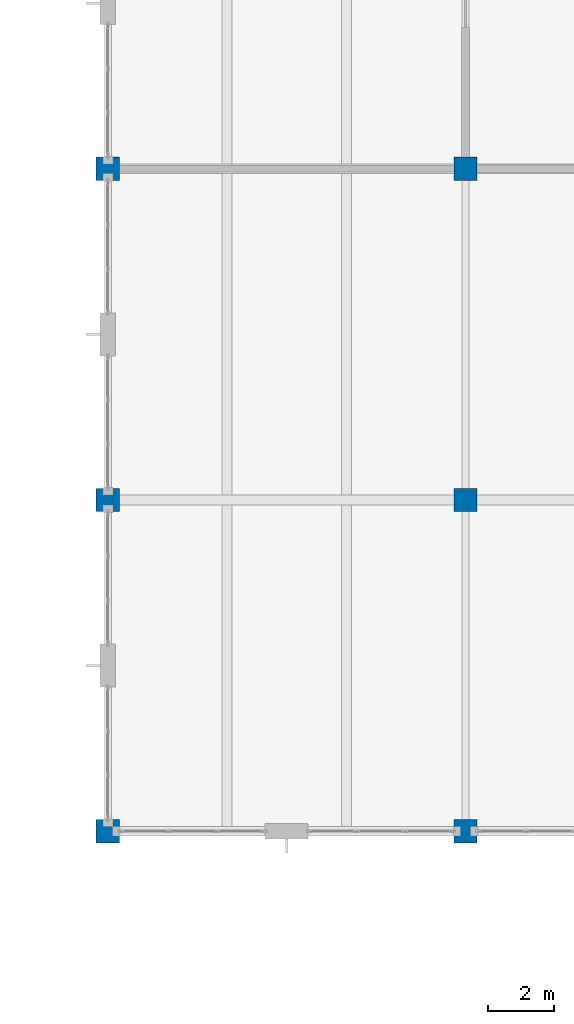
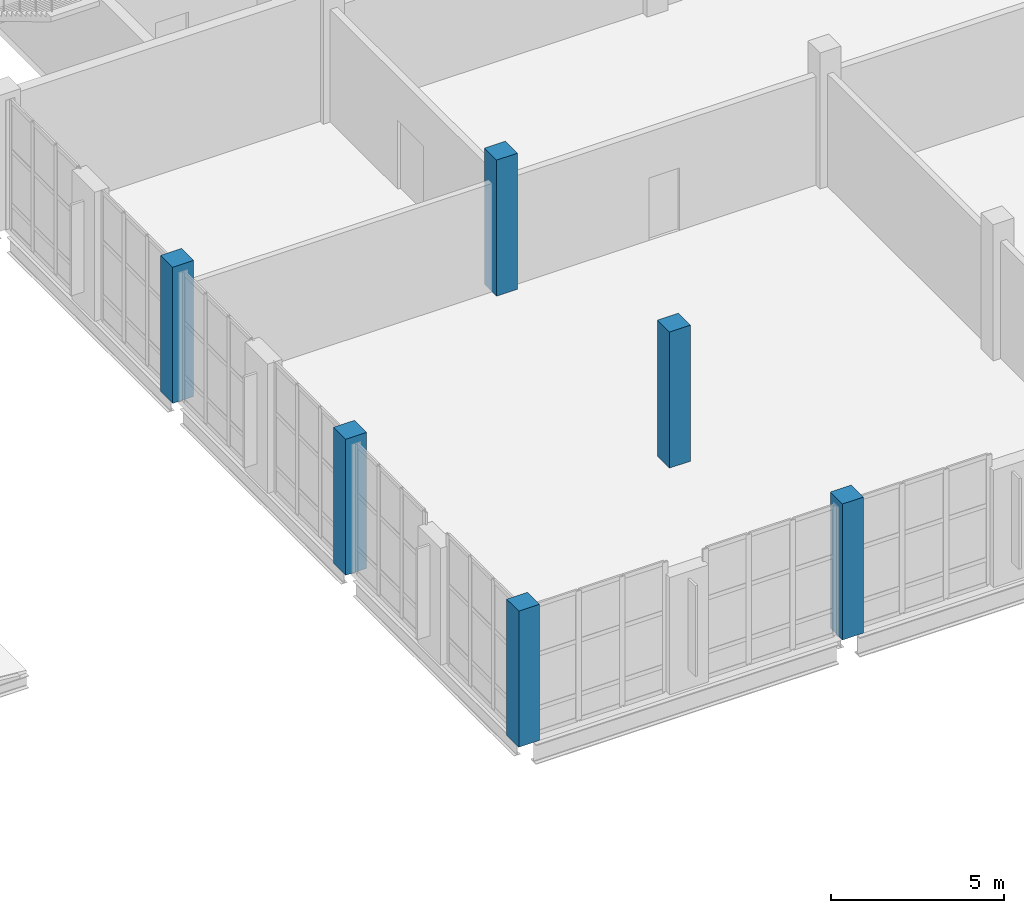
# One storey, part 5 of 92: 6 columns.
"""IFC4 building model written with IfcOpenShell, lengths in metres."""

import ifcopenshell
import ifcopenshell.guid

model = None  # the IFC model being written
_history = None  # IfcOwnerHistory: only IFC2X3 demands one
_inside = {}  # id of a spatial element -> (the spatial element, [elements in it])
_under = {}  # id of a project, library or spatial element -> (it, [spatial elements below it])
_declared = {}  # id of a project -> (the project, [libraries it declares])
_typed = {}  # id of a type object -> (the type object, [elements of that type])
_made_of = {}  # id of a material, layer set ... -> (it, [elements and type objects made of it])


def new_model(schema):
    """Start an empty IFC model of exactly this schema.

    Asked for "IFC4X3", IfcOpenShell would pick the latest addendum, in which some entities
    have other attributes; the version numbers below select the first issue.
    IFC2X3 requires an IfcOwnerHistory on every rooted entity: one is made here for all.
    """
    global model, _history
    if schema == "IFC4X3":
        model = ifcopenshell.file(schema_version=(4, 3, 0, 0))
    else:
        model = ifcopenshell.file(schema=schema)
    _inside.clear()
    _under.clear()
    _declared.clear()
    _typed.clear()
    _made_of.clear()
    _history = None
    if model.schema == "IFC2X3":
        org = make("IfcOrganization", Name="unknown")
        user = make(
            "IfcPersonAndOrganization",
            ThePerson=make("IfcPerson", FamilyName="unknown"),
            TheOrganization=org,
        )
        app = make(
            "IfcApplication",
            ApplicationDeveloper=org,
            Version="unknown",
            ApplicationFullName="unknown",
            ApplicationIdentifier="unknown",
        )
        _history = make(
            "IfcOwnerHistory",
            OwningUser=user,
            OwningApplication=app,
            ChangeAction="ADDED",
            CreationDate=0,
        )
    return model


def make(cls, **values):
    """One entity of the class cls with the attributes given. An attribute that is None is left unset."""
    return model.create_entity(
        cls, **{name: value for name, value in values.items() if value is not None}
    )


def rooted(cls, **values):
    """An entity with a GlobalId (a new one), such as an element, a storey or a relation."""
    return make(cls, GlobalId=ifcopenshell.guid.new(), OwnerHistory=_history, **values)


def si_unit(unit_type, name, prefix=None):
    """IfcSIUnit, for example si_unit("LENGTHUNIT", "METRE", prefix="MILLI")."""
    return make("IfcSIUnit", UnitType=unit_type, Prefix=prefix, Name=name)


def assignment(units):
    """IfcUnitAssignment: the units of a project."""
    return None if units is None else make("IfcUnitAssignment", Units=units)


def point(xyz):
    """IfcCartesianPoint."""
    return None if xyz is None else make("IfcCartesianPoint", Coordinates=xyz)


def direction(xyz):
    """IfcDirection."""
    return None if xyz is None else make("IfcDirection", DirectionRatios=xyz)


def frame(location, z_axis=None, x_axis=None):
    """IfcAxis2Placement3D, a coordinate frame: its origin and axes. An axis left out is left unset."""
    return make(
        "IfcAxis2Placement3D",
        Location=point(location),
        Axis=direction(z_axis),
        RefDirection=direction(x_axis),
    )


def frame_2d(location, x_axis=None):
    """IfcAxis2Placement2D, a coordinate frame in the plane: its origin and x axis."""
    return make(
        "IfcAxis2Placement2D", Location=point(location), RefDirection=direction(x_axis)
    )


def origin():
    """The frame at (0, 0, 0) with its axes left unset."""
    return frame((0.0, 0.0, 0.0))


def origin_2d():
    """The frame at (0, 0) in the plane with its x axis left unset."""
    return frame_2d((0.0, 0.0))


def place(relative_to, where):
    """IfcLocalPlacement: puts the frame where relative to a parent placement (None: the world)."""
    return make(
        "IfcLocalPlacement", PlacementRelTo=relative_to, RelativePlacement=where
    )


def context(
    kind, dimensions, precision=None, world=None, true_north=None, identifier=None
):
    """IfcGeometricRepresentationContext, for example the 3D "Model" context."""
    return make(
        "IfcGeometricRepresentationContext",
        ContextIdentifier=identifier,
        ContextType=kind,
        CoordinateSpaceDimension=dimensions,
        Precision=precision,
        WorldCoordinateSystem=world,
        TrueNorth=true_north,
    )


def subcontext(parent, identifier, kind, view, scale=None):
    """IfcGeometricRepresentationSubContext, for example "Body" below "Model"."""
    return make(
        "IfcGeometricRepresentationSubContext",
        ContextIdentifier=identifier,
        ContextType=kind,
        ParentContext=parent,
        TargetScale=scale,
        TargetView=view,
    )


def project(units=None, contexts=None):
    """IfcProject with its units and contexts."""
    return rooted(
        "IfcProject",
        Name="project",
        RepresentationContexts=contexts,
        UnitsInContext=assignment(units),
    )


def spatial(cls, under=None, at=None, **own):
    """A site, building, storey or space (cls), placed at a placement, below another one or the project."""
    s = rooted(cls, ObjectPlacement=at, **own)
    if under is not None:
        _under.setdefault(under.id(), (under, []))[1].append(s)
    return s


def profile(cls, at=None, kind="AREA", **sizes):
    """A parametric profile (cls). Its sizes go by their IFC names, for example OverallWidth=200.0."""
    return make(cls, ProfileType=kind, Position=at, **sizes)


def rectangle(**sizes):
    """IfcRectangleProfileDef."""
    return profile("IfcRectangleProfileDef", **sizes)


def extrude(swept, where, along, depth):
    """IfcExtrudedAreaSolid: the profile swept, set in the frame where, extruded along a direction by depth."""
    return make(
        "IfcExtrudedAreaSolid",
        SweptArea=swept,
        Position=where,
        ExtrudedDirection=direction(along),
        Depth=depth,
    )


def shape(context_of_items, identifier, shape_type, items):
    """IfcShapeRepresentation: the items that make up one representation, for example the "Body"."""
    return make(
        "IfcShapeRepresentation",
        ContextOfItems=context_of_items,
        RepresentationIdentifier=identifier,
        RepresentationType=shape_type,
        Items=items,
    )


def material(Name=None, Category=None):
    """IfcMaterial."""
    return make("IfcMaterial", Name=Name, Category=Category)


def material_profile(
    of_material, cross_section, Name=None, Category=None, Priority=None
):
    """IfcMaterialProfile: a cross section and its material."""
    return make(
        "IfcMaterialProfile",
        Name=Name,
        Material=of_material,
        Profile=cross_section,
        Priority=Priority,
        Category=Category,
    )


def profile_set(profiles, Name=None, composite=None):
    """IfcMaterialProfileSet."""
    return make(
        "IfcMaterialProfileSet",
        Name=Name,
        MaterialProfiles=profiles,
        CompositeProfile=composite,
    )


def made_of(thing, what):
    """Note that an element or type object is made of a material, layer set ...; save() writes the relation."""
    if what is not None:
        _made_of.setdefault(what.id(), (what, []))[1].append(thing)
    return thing


def type_object(cls, material=None, **own):
    """A type object (cls), such as IfcWallType, which elements share."""
    return made_of(rooted(cls, **own), material)


def element(
    cls,
    number,
    at=None,
    inside=None,
    cuts=None,
    type_object=None,
    material=None,
    context=None,
    identifier="Body",
    shape_type=None,
    held_by="IfcProductDefinitionShape",
    body=None,
    shapes=None,
    **own,
):
    """One element of the class cls, such as IfcWall. Its Tag is "e" and its number.

    at: its placement. inside: the storey or other place that contains it. cuts: it is an
    opening in that element (IfcRelVoidsElement). A single representation is given by context,
    identifier, shape_type and body (its items); several are given by shapes. held_by: the class
    of the entity that holds the representations. save() writes the other relations.
    """
    e = rooted(cls, Tag="e%d" % number, ObjectPlacement=at, **own)
    if body is not None:
        shapes = [shape(context, identifier, shape_type, body)]
    if shapes is not None:
        e.Representation = make(held_by, Representations=shapes)
    if inside is not None:
        _inside.setdefault(inside.id(), (inside, []))[1].append(e)
    if cuts is not None:
        rooted(
            "IfcRelVoidsElement", RelatingBuildingElement=cuts, RelatedOpeningElement=e
        )
    if type_object is not None:
        _typed.setdefault(type_object.id(), (type_object, []))[1].append(e)
    return made_of(e, material)


def aggregate(whole, parts):
    """IfcRelAggregates: a whole, such as a stair, and the parts it consists of."""
    return rooted("IfcRelAggregates", RelatingObject=whole, RelatedObjects=parts)


def save(model, path):
    """Write the relations noted so far, then the file.

    IfcRelAggregates (storeys below a building ...), IfcRelContainedInSpatialStructure (elements
    in a storey), IfcRelDefinesByType, IfcRelAssociatesMaterial and IfcRelDeclares: one each for
    every whole, place, type object, material and project.
    """
    for whole, parts in _under.values():
        aggregate(whole, parts)
    for where, things in _inside.values():
        rooted(
            "IfcRelContainedInSpatialStructure",
            RelatedElements=things,
            RelatingStructure=where,
        )
    for kind, things in _typed.values():
        rooted("IfcRelDefinesByType", RelatedObjects=things, RelatingType=kind)
    for what, things in _made_of.values():
        rooted("IfcRelAssociatesMaterial", RelatedObjects=things, RelatingMaterial=what)
    for by, libraries in _declared.values():
        rooted("IfcRelDeclares", RelatingContext=by, RelatedDefinitions=libraries)
    model.write(path)


model = new_model("IFC4")

# Units and contexts
model_context = context("Model", 3, precision=1e-05, world=origin(), true_north=direction((0.0, 1.0)))
body_context = subcontext(model_context, "Body", "Model", "MODEL_VIEW")
ifc_project = project(units=[si_unit("LENGTHUNIT", "METRE"), si_unit("AREAUNIT", "SQUARE_METRE"), si_unit("VOLUMEUNIT", "CUBIC_METRE"), si_unit("PLANEANGLEUNIT", "RADIAN"), si_unit("MASSUNIT", "GRAM", prefix="KILO")], contexts=[model_context])

# Site, building, storey
site_placement = place(None, origin())
site = spatial("IfcSite", under=ifc_project, at=site_placement, CompositionType="ELEMENT")
building_placement = place(site_placement, origin())
building = spatial("IfcBuilding", under=site, at=building_placement, Name="Tasgan Crest Museum", CompositionType="ELEMENT")
storey_placement = place(building_placement, frame((0.0, 0.0, 4.800048828125)))
storey = spatial("IfcBuildingStorey", under=building, at=storey_placement, Name="L01", CompositionType="ELEMENT", Elevation=4.800048828125)

# Columns
ifc_material = material(Name="Concrete C40/50", Category="concrete")
ifc_material_profile = material_profile(ifc_material, rectangle(XDim=0.699951171875, YDim=0.699951171875, at=origin_2d()), Name="RC 700x700")
ifc_profile_set = profile_set([ifc_material_profile], Name="Concrete C40/50")
column_type = type_object("IfcColumnType", Name="COL-RC700", PredefinedType="COLUMN", material=ifc_profile_set)
for number, where, z_axis, x_axis, name in (
    (1, (108.0, 10.0, 0.0), (0.0, 0.0, 1.0), (1.0, 0.0, 0.0), "Column 11/B L01"),
    (2, (108.0, 20.0, 0.0), (0.0, 0.0, 1.0), (1.0, 0.0, 0.0), "Column 11/C L01"),
    (3, (108.0, 30.0, 0.0), (0.0, 0.0, 1.0), (1.0, 0.0, 0.0), "Column 11/D L01"),
    (4, (118.800048828125, 10.0, 0.0), (0.0, 0.0, 1.0), (1.0, 0.0, 0.0), "Column 12/B L01"),
    (5, (118.800048828125, 20.0, 0.0), (0.0, 0.0, 1.0), (1.0, 0.0, 0.0), "Column 12/C L01"),
    (6, (118.800048828125, 30.0, 0.0), (0.0, 0.0, 1.0), (1.0, 0.0, 0.0), "Column 12/D L01"),
):
    element("IfcColumn", number, at=place(storey_placement, frame(where, z_axis=z_axis, x_axis=x_axis)), inside=storey, type_object=column_type, Name=name, PredefinedType="COLUMN", context=body_context, shape_type="SweptSolid", body=[
        extrude(rectangle(XDim=0.699951171875, YDim=0.699951171875, at=origin_2d()), origin(), (0.0, 0.0, 1.0), 4.800048828125),
    ])

save(model, "model.ifc")
